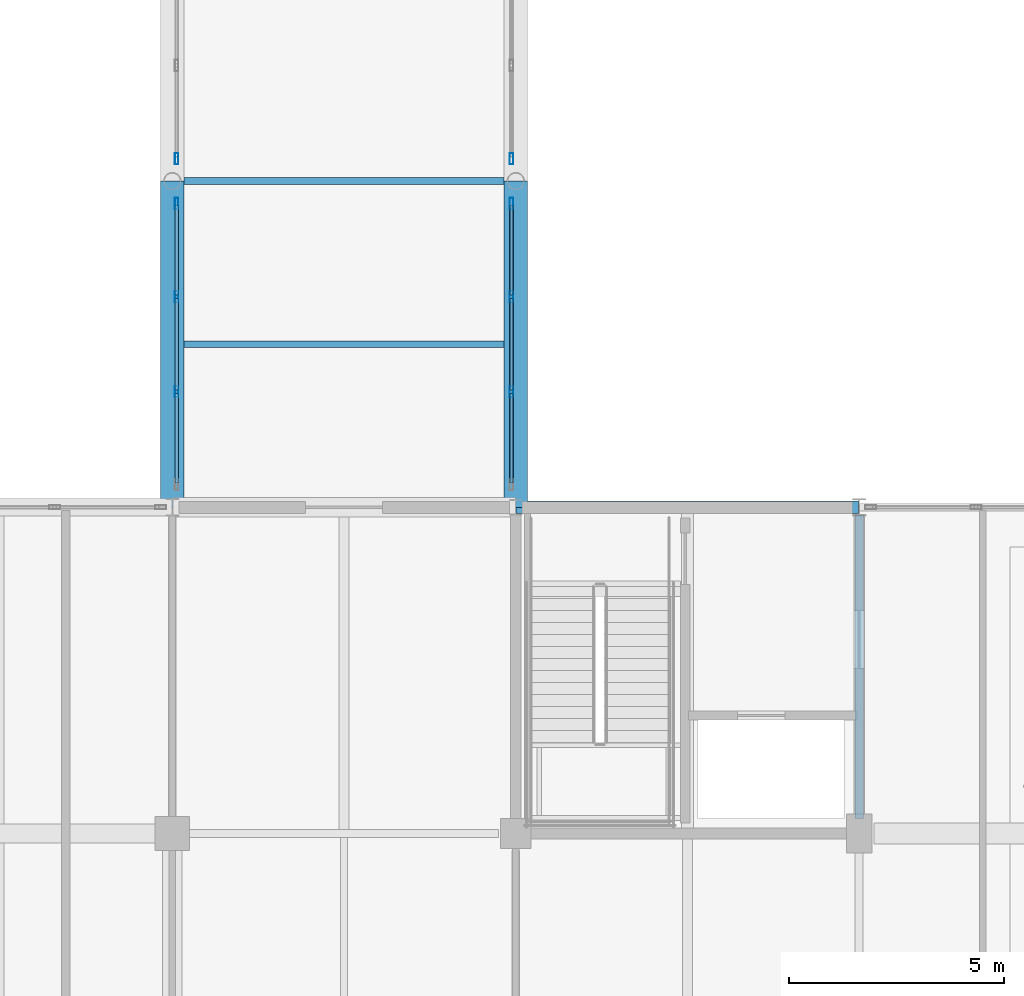
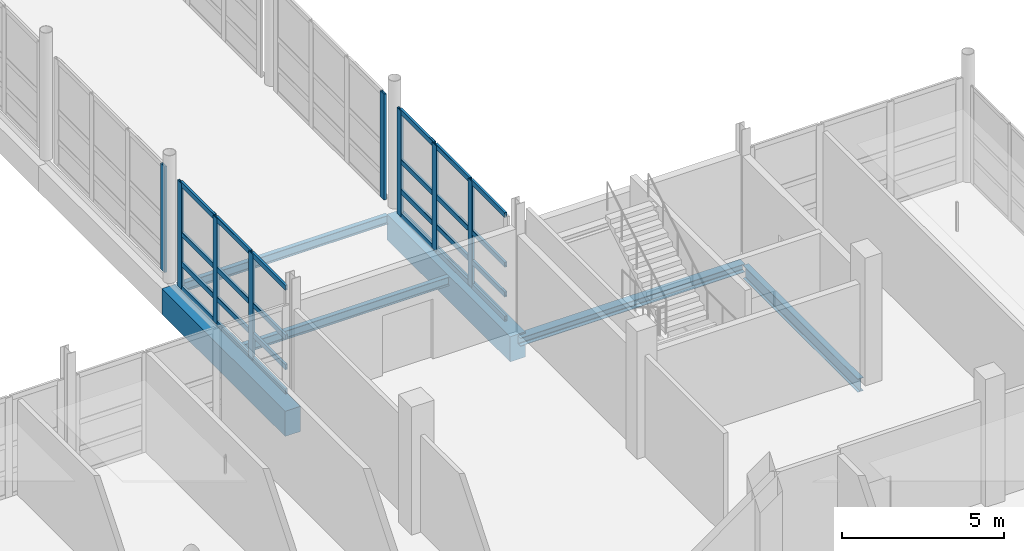
# One storey, part 52 of 147: 32 members, 6 beams, 4 elements without a shape of their own.
"""IFC4 building model written with IfcOpenShell, lengths in metres."""

from ifc_helpers import new_model, si_unit, direction, frame, origin, origin_2d, place, context, subcontext, project, spatial, rectangle, hollow_rectangle, i_section, extrude, material, material_profile, profile_set, type_object, element, aggregate, save


model = new_model("IFC4")

# Units and contexts
model_context = context("Model", 3, precision=1e-05, world=origin(), true_north=direction((0.0, 1.0)))
body_context = subcontext(model_context, "Body", "Model", "MODEL_VIEW")
ifc_project = project(units=[si_unit("LENGTHUNIT", "METRE"), si_unit("AREAUNIT", "SQUARE_METRE"), si_unit("VOLUMEUNIT", "CUBIC_METRE"), si_unit("PLANEANGLEUNIT", "RADIAN"), si_unit("MASSUNIT", "GRAM", prefix="KILO")], contexts=[model_context])

# Site, building, storey
site_placement = place(None, origin())
site = spatial("IfcSite", under=ifc_project, at=site_placement, CompositionType="ELEMENT")
building_placement = place(site_placement, origin())
building = spatial("IfcBuilding", under=site, at=building_placement, Name="Khelvaren Railside Concert Hall", CompositionType="ELEMENT")
storey_placement = place(building_placement, frame((0.0, 0.0, 5.39990234375)))
storey = spatial("IfcBuildingStorey", under=building, at=storey_placement, Name="L01", CompositionType="ELEMENT", Elevation=5.39990234375)

# Beam
ifc_material_1 = material(Name="Steel S355", Category="steel")
ifc_material_profile_1 = material_profile(ifc_material_1, i_section(OverallWidth=0.199951171875, OverallDepth=0.5, WebThickness=0.01025390625, FlangeThickness=0.01611328125, FilletRadius=0.02099609375, at=origin_2d()), Name="IPE 500")
ifc_profile_set_1 = profile_set([ifc_material_profile_1], Name="Steel S355")
beam_type_1 = type_object("IfcBeamType", Name="BM62", PredefinedType="BEAM", material=ifc_profile_set_1)
beam_1_placement = place(storey_placement, frame((176.0, 30.75, -0.5498046875), z_axis=(0.0, 1.0, 0.0), x_axis=(-1.0, 0.0, 0.0)))
element("IfcBeam", 1, at=beam_1_placement, inside=storey, type_object=beam_type_1, Name="V2 L01 Beam Y5.5", PredefinedType="BEAM", context=body_context, shape_type="SweptSolid", body=[
    extrude(i_section(OverallWidth=0.199951171875, OverallDepth=0.5, WebThickness=0.01025390625, FlangeThickness=0.01611328125, FilletRadius=0.02099609375, at=origin_2d()), origin(), (0.0, 0.0, 1.0), 7.070068359375),
])

# Curtain wall, members
ifc_material_2 = material(Name="Acoustic laminated crystal facade glass", Category="glass")
curtain_wall_type = type_object("IfcCurtainWallType", Name="CW78", PredefinedType="USERDEFINED", material=ifc_material_2)
curtain_wall_1_placement = place(storey_placement, origin())
curtain_wall_1 = element("IfcCurtainWall", 2, at=curtain_wall_1_placement, inside=storey, type_object=curtain_wall_type, Name="Unitised Curtain Wall CW-LB4-L01-W1", ObjectType="UNITISED CURTAIN WALL", PredefinedType="USERDEFINED")
ifc_material_3 = material(Name="Anodised architectural aluminium 6063-T6", Category="aluminium")
ifc_material_profile_2 = material_profile(ifc_material_3, hollow_rectangle(XDim=0.0849609375, YDim=0.260009765625, WallThickness=0.0048828125, InnerFilletRadius=0.0029296875, OuterFilletRadius=0.0048828125, at=origin_2d()), Name="CWM 85x260x5")
ifc_profile_set_2 = profile_set([ifc_material_profile_2], Name="Anodised architectural aluminium 6063-T6")
member_type_1 = type_object("IfcMemberType", Name="CWM40", PredefinedType="MULLION", material=ifc_profile_set_2)
member_1_placement = place(storey_placement, frame((160.10009765625, 40.693359375, 0.0), z_axis=(0.0, 0.0, 1.0), x_axis=(-1.0, 0.0, 0.0)))
member_1 = element("IfcMember", 3, at=member_1_placement, type_object=member_type_1, Name="CW78 mullion 2", PredefinedType="MULLION", context=body_context, shape_type="SweptSolid", body=[
    extrude(hollow_rectangle(XDim=0.0849609375, YDim=0.260009765625, WallThickness=0.0048828125, InnerFilletRadius=0.0029296875, OuterFilletRadius=0.0048828125, at=origin_2d()), origin(), (0.0, 0.0, 1.0), 3.97998046875),
])
member_2_placement = place(storey_placement, frame((160.10009765625, 42.90673828125, 0.0), z_axis=(0.0, 0.0, 1.0), x_axis=(-1.0, 0.0, 0.0)))
member_2 = element("IfcMember", 4, at=member_2_placement, type_object=member_type_1, Name="CW78 mullion 3", PredefinedType="MULLION", context=body_context, shape_type="SweptSolid", body=[
    extrude(hollow_rectangle(XDim=0.0849609375, YDim=0.260009765625, WallThickness=0.0048828125, InnerFilletRadius=0.0029296875, OuterFilletRadius=0.0048828125, at=origin_2d()), origin(), (0.0, 0.0, 1.0), 3.97998046875),
])
member_3_placement = place(storey_placement, frame((160.10009765625, 45.077392578125, 0.0), z_axis=(0.0, 0.0, 1.0), x_axis=(-1.0, 0.0, 0.0)))
member_3 = element("IfcMember", 5, at=member_3_placement, type_object=member_type_1, Name="CW78 mullion 4", PredefinedType="MULLION", context=body_context, shape_type="SweptSolid", body=[
    extrude(hollow_rectangle(XDim=0.0849609375, YDim=0.260009765625, WallThickness=0.0048828125, InnerFilletRadius=0.0029296875, OuterFilletRadius=0.0048828125, at=origin_2d()), origin(), (0.0, 0.0, 1.0), 3.97998046875),
])

curtain_wall_2_placement = place(storey_placement, origin())
curtain_wall_2 = element("IfcCurtainWall", 6, at=curtain_wall_2_placement, inside=storey, type_object=curtain_wall_type, Name="Unitised Curtain Wall CW-LB4-L01-E1", ObjectType="UNITISED CURTAIN WALL", PredefinedType="USERDEFINED")
member_4_placement = place(storey_placement, frame((167.89990234375, 45.077392578125, 0.0), z_axis=(0.0, 0.0, 1.0), x_axis=(1.0, 0.0, 0.0)))
member_4 = element("IfcMember", 7, at=member_4_placement, type_object=member_type_1, Name="CW78 mullion 1", PredefinedType="MULLION", context=body_context, shape_type="SweptSolid", body=[
    extrude(hollow_rectangle(XDim=0.0849609375, YDim=0.260009765625, WallThickness=0.0048828125, InnerFilletRadius=0.0029296875, OuterFilletRadius=0.0048828125, at=origin_2d()), origin(), (0.0, 0.0, 1.0), 3.97998046875),
])
member_5_placement = place(storey_placement, frame((167.89990234375, 42.90673828125, 0.0), z_axis=(0.0, 0.0, 1.0), x_axis=(1.0, 0.0, 0.0)))
member_5 = element("IfcMember", 8, at=member_5_placement, type_object=member_type_1, Name="CW78 mullion 2", PredefinedType="MULLION", context=body_context, shape_type="SweptSolid", body=[
    extrude(hollow_rectangle(XDim=0.0849609375, YDim=0.260009765625, WallThickness=0.0048828125, InnerFilletRadius=0.0029296875, OuterFilletRadius=0.0048828125, at=origin_2d()), origin(), (0.0, 0.0, 1.0), 3.97998046875),
])
member_6_placement = place(storey_placement, frame((167.89990234375, 40.693359375, 0.0), z_axis=(0.0, 0.0, 1.0), x_axis=(1.0, 0.0, 0.0)))
member_6 = element("IfcMember", 9, at=member_6_placement, type_object=member_type_1, Name="CW78 mullion 3", PredefinedType="MULLION", context=body_context, shape_type="SweptSolid", body=[
    extrude(hollow_rectangle(XDim=0.0849609375, YDim=0.260009765625, WallThickness=0.0048828125, InnerFilletRadius=0.0029296875, OuterFilletRadius=0.0048828125, at=origin_2d()), origin(), (0.0, 0.0, 1.0), 3.97998046875),
])

# Curtain wall, member
curtain_wall_3_placement = place(storey_placement, origin())
curtain_wall_3 = element("IfcCurtainWall", 10, at=curtain_wall_3_placement, inside=storey, type_object=curtain_wall_type, Name="Unitised Curtain Wall CW-LB4-L01-W2", ObjectType="UNITISED CURTAIN WALL", PredefinedType="USERDEFINED")
member_7_placement = place(storey_placement, frame((160.10009765625, 46.12255859375, 0.0), z_axis=(0.0, 0.0, 1.0), x_axis=(-1.0, 0.0, 0.0)))
member_7 = element("IfcMember", 11, at=member_7_placement, type_object=member_type_1, Name="CW78 mullion 1", PredefinedType="MULLION", context=body_context, shape_type="SweptSolid", body=[
    extrude(hollow_rectangle(XDim=0.0849609375, YDim=0.260009765625, WallThickness=0.0048828125, InnerFilletRadius=0.0029296875, OuterFilletRadius=0.0048828125, at=origin_2d()), origin(), (0.0, 0.0, 1.0), 3.97998046875),
])
aggregate(curtain_wall_3, [member_7])

curtain_wall_4_placement = place(storey_placement, origin())
curtain_wall_4 = element("IfcCurtainWall", 12, at=curtain_wall_4_placement, inside=storey, type_object=curtain_wall_type, Name="Unitised Curtain Wall CW-LB4-L01-E2", ObjectType="UNITISED CURTAIN WALL", PredefinedType="USERDEFINED")
member_8_placement = place(storey_placement, frame((167.89990234375, 46.12255859375, 0.0), z_axis=(0.0, 0.0, 1.0), x_axis=(1.0, 0.0, 0.0)))
member_8 = element("IfcMember", 13, at=member_8_placement, type_object=member_type_1, Name="CW78 mullion 4", PredefinedType="MULLION", context=body_context, shape_type="SweptSolid", body=[
    extrude(hollow_rectangle(XDim=0.0849609375, YDim=0.260009765625, WallThickness=0.0048828125, InnerFilletRadius=0.0029296875, OuterFilletRadius=0.0048828125, at=origin_2d()), origin(), (0.0, 0.0, 1.0), 3.97998046875),
])
aggregate(curtain_wall_4, [member_8])

# Member
ifc_material_profile_3 = material_profile(ifc_material_3, hollow_rectangle(XDim=0.0849609375, YDim=0.18994140625, WallThickness=0.0048828125, InnerFilletRadius=0.0029296875, OuterFilletRadius=0.0048828125, at=origin_2d()), Name="CWT 85x190x5")
ifc_profile_set_3 = profile_set([ifc_material_profile_3], Name="Anodised architectural aluminium 6063-T6")
member_type_2 = type_object("IfcMemberType", Name="CWT31", PredefinedType="USERDEFINED", material=ifc_profile_set_3)
member_9_placement = place(storey_placement, frame((160.10009765625, 38.56494140625, 0.04248046875), z_axis=(0.0, 1.0, 0.0), x_axis=(-1.0, 0.0, 0.0)))
member_9 = element("IfcMember", 14, at=member_9_placement, type_object=member_type_2, Name="CW78 transom 1.1", ObjectType="TRANSOM", PredefinedType="USERDEFINED", context=body_context, shape_type="SweptSolid", body=[
    extrude(hollow_rectangle(XDim=0.0849609375, YDim=0.18994140625, WallThickness=0.0048828125, InnerFilletRadius=0.0029296875, OuterFilletRadius=0.0048828125, at=origin_2d()), origin(), (0.0, 0.0, 1.0), 2.0859375),
])

member_10_placement = place(storey_placement, frame((160.10009765625, 38.56494140625, 0.9501953125), z_axis=(0.0, 1.0, 0.0), x_axis=(-1.0, 0.0, 0.0)))
member_10 = element("IfcMember", 15, at=member_10_placement, type_object=member_type_2, Name="CW78 transom 1.2", ObjectType="TRANSOM", PredefinedType="USERDEFINED", context=body_context, shape_type="SweptSolid", body=[
    extrude(hollow_rectangle(XDim=0.0849609375, YDim=0.18994140625, WallThickness=0.0048828125, InnerFilletRadius=0.0029296875, OuterFilletRadius=0.0048828125, at=origin_2d()), origin(), (0.0, 0.0, 1.0), 2.0859375),
])

member_11_placement = place(storey_placement, frame((160.10009765625, 38.56494140625, 2.069580078125), z_axis=(0.0, 1.0, 0.0), x_axis=(-1.0, 0.0, 0.0)))
member_11 = element("IfcMember", 16, at=member_11_placement, type_object=member_type_2, Name="CW78 transom 1.3", ObjectType="TRANSOM", PredefinedType="USERDEFINED", context=body_context, shape_type="SweptSolid", body=[
    extrude(hollow_rectangle(XDim=0.0849609375, YDim=0.18994140625, WallThickness=0.0048828125, InnerFilletRadius=0.0029296875, OuterFilletRadius=0.0048828125, at=origin_2d()), origin(), (0.0, 0.0, 1.0), 2.0859375),
])

member_12_placement = place(storey_placement, frame((160.10009765625, 38.56494140625, 3.9375), z_axis=(0.0, 1.0, 0.0), x_axis=(-1.0, 0.0, 0.0)))
member_12 = element("IfcMember", 17, at=member_12_placement, type_object=member_type_2, Name="CW78 transom 1.4", ObjectType="TRANSOM", PredefinedType="USERDEFINED", context=body_context, shape_type="SweptSolid", body=[
    extrude(hollow_rectangle(XDim=0.0849609375, YDim=0.18994140625, WallThickness=0.0048828125, InnerFilletRadius=0.0029296875, OuterFilletRadius=0.0048828125, at=origin_2d()), origin(), (0.0, 0.0, 1.0), 2.0859375),
])

member_13_placement = place(storey_placement, frame((160.10009765625, 40.73583984375, 0.04248046875), z_axis=(0.0, 1.0, 0.0), x_axis=(-1.0, 0.0, 0.0)))
member_13 = element("IfcMember", 18, at=member_13_placement, type_object=member_type_2, Name="CW78 transom 2.1", ObjectType="TRANSOM", PredefinedType="USERDEFINED", context=body_context, shape_type="SweptSolid", body=[
    extrude(hollow_rectangle(XDim=0.0849609375, YDim=0.18994140625, WallThickness=0.0048828125, InnerFilletRadius=0.0029296875, OuterFilletRadius=0.0048828125, at=origin_2d()), origin(), (0.0, 0.0, 1.0), 2.12841796875),
])

member_14_placement = place(storey_placement, frame((160.10009765625, 40.73583984375, 0.9501953125), z_axis=(0.0, 1.0, 0.0), x_axis=(-1.0, 0.0, 0.0)))
member_14 = element("IfcMember", 19, at=member_14_placement, type_object=member_type_2, Name="CW78 transom 2.2", ObjectType="TRANSOM", PredefinedType="USERDEFINED", context=body_context, shape_type="SweptSolid", body=[
    extrude(hollow_rectangle(XDim=0.0849609375, YDim=0.18994140625, WallThickness=0.0048828125, InnerFilletRadius=0.0029296875, OuterFilletRadius=0.0048828125, at=origin_2d()), origin(), (0.0, 0.0, 1.0), 2.12841796875),
])

member_15_placement = place(storey_placement, frame((160.10009765625, 40.73583984375, 2.069580078125), z_axis=(0.0, 1.0, 0.0), x_axis=(-1.0, 0.0, 0.0)))
member_15 = element("IfcMember", 20, at=member_15_placement, type_object=member_type_2, Name="CW78 transom 2.3", ObjectType="TRANSOM", PredefinedType="USERDEFINED", context=body_context, shape_type="SweptSolid", body=[
    extrude(hollow_rectangle(XDim=0.0849609375, YDim=0.18994140625, WallThickness=0.0048828125, InnerFilletRadius=0.0029296875, OuterFilletRadius=0.0048828125, at=origin_2d()), origin(), (0.0, 0.0, 1.0), 2.12841796875),
])

member_16_placement = place(storey_placement, frame((160.10009765625, 40.73583984375, 3.9375), z_axis=(0.0, 1.0, 0.0), x_axis=(-1.0, 0.0, 0.0)))
member_16 = element("IfcMember", 21, at=member_16_placement, type_object=member_type_2, Name="CW78 transom 2.4", ObjectType="TRANSOM", PredefinedType="USERDEFINED", context=body_context, shape_type="SweptSolid", body=[
    extrude(hollow_rectangle(XDim=0.0849609375, YDim=0.18994140625, WallThickness=0.0048828125, InnerFilletRadius=0.0029296875, OuterFilletRadius=0.0048828125, at=origin_2d()), origin(), (0.0, 0.0, 1.0), 2.12841796875),
])

member_17_placement = place(storey_placement, frame((160.10009765625, 42.94921875, 0.04248046875), z_axis=(0.0, 1.0, 0.0), x_axis=(-1.0, 0.0, 0.0)))
member_17 = element("IfcMember", 22, at=member_17_placement, type_object=member_type_2, Name="CW78 transom 3.1", ObjectType="TRANSOM", PredefinedType="USERDEFINED", context=body_context, shape_type="SweptSolid", body=[
    extrude(hollow_rectangle(XDim=0.0849609375, YDim=0.18994140625, WallThickness=0.0048828125, InnerFilletRadius=0.0029296875, OuterFilletRadius=0.0048828125, at=origin_2d()), origin(), (0.0, 0.0, 1.0), 2.085693359375),
])

member_18_placement = place(storey_placement, frame((160.10009765625, 42.94921875, 0.9501953125), z_axis=(0.0, 1.0, 0.0), x_axis=(-1.0, 0.0, 0.0)))
member_18 = element("IfcMember", 23, at=member_18_placement, type_object=member_type_2, Name="CW78 transom 3.2", ObjectType="TRANSOM", PredefinedType="USERDEFINED", context=body_context, shape_type="SweptSolid", body=[
    extrude(hollow_rectangle(XDim=0.0849609375, YDim=0.18994140625, WallThickness=0.0048828125, InnerFilletRadius=0.0029296875, OuterFilletRadius=0.0048828125, at=origin_2d()), origin(), (0.0, 0.0, 1.0), 2.085693359375),
])

member_19_placement = place(storey_placement, frame((160.10009765625, 42.94921875, 2.069580078125), z_axis=(0.0, 1.0, 0.0), x_axis=(-1.0, 0.0, 0.0)))
member_19 = element("IfcMember", 24, at=member_19_placement, type_object=member_type_2, Name="CW78 transom 3.3", ObjectType="TRANSOM", PredefinedType="USERDEFINED", context=body_context, shape_type="SweptSolid", body=[
    extrude(hollow_rectangle(XDim=0.0849609375, YDim=0.18994140625, WallThickness=0.0048828125, InnerFilletRadius=0.0029296875, OuterFilletRadius=0.0048828125, at=origin_2d()), origin(), (0.0, 0.0, 1.0), 2.085693359375),
])

member_20_placement = place(storey_placement, frame((160.10009765625, 42.94921875, 3.9375), z_axis=(0.0, 1.0, 0.0), x_axis=(-1.0, 0.0, 0.0)))
member_20 = element("IfcMember", 25, at=member_20_placement, type_object=member_type_2, Name="CW78 transom 3.4", ObjectType="TRANSOM", PredefinedType="USERDEFINED", context=body_context, shape_type="SweptSolid", body=[
    extrude(hollow_rectangle(XDim=0.0849609375, YDim=0.18994140625, WallThickness=0.0048828125, InnerFilletRadius=0.0029296875, OuterFilletRadius=0.0048828125, at=origin_2d()), origin(), (0.0, 0.0, 1.0), 2.085693359375),
])

aggregate(curtain_wall_1, [member_1, member_2, member_3, member_9, member_10, member_11, member_12, member_13, member_14, member_15, member_16, member_17, member_18, member_19, member_20])

member_21_placement = place(storey_placement, frame((167.89990234375, 45.034912109375, 0.04248046875), z_axis=(0.0, -1.0, 0.0), x_axis=(1.0, 0.0, 0.0)))
member_21 = element("IfcMember", 26, at=member_21_placement, type_object=member_type_2, Name="CW78 transom 1.1", ObjectType="TRANSOM", PredefinedType="USERDEFINED", context=body_context, shape_type="SweptSolid", body=[
    extrude(hollow_rectangle(XDim=0.0849609375, YDim=0.18994140625, WallThickness=0.0048828125, InnerFilletRadius=0.0029296875, OuterFilletRadius=0.0048828125, at=origin_2d()), origin(), (0.0, 0.0, 1.0), 2.085693359375),
])

member_22_placement = place(storey_placement, frame((167.89990234375, 45.034912109375, 0.9501953125), z_axis=(0.0, -1.0, 0.0), x_axis=(1.0, 0.0, 0.0)))
member_22 = element("IfcMember", 27, at=member_22_placement, type_object=member_type_2, Name="CW78 transom 1.2", ObjectType="TRANSOM", PredefinedType="USERDEFINED", context=body_context, shape_type="SweptSolid", body=[
    extrude(hollow_rectangle(XDim=0.0849609375, YDim=0.18994140625, WallThickness=0.0048828125, InnerFilletRadius=0.0029296875, OuterFilletRadius=0.0048828125, at=origin_2d()), origin(), (0.0, 0.0, 1.0), 2.085693359375),
])

member_23_placement = place(storey_placement, frame((167.89990234375, 45.034912109375, 2.069580078125), z_axis=(0.0, -1.0, 0.0), x_axis=(1.0, 0.0, 0.0)))
member_23 = element("IfcMember", 28, at=member_23_placement, type_object=member_type_2, Name="CW78 transom 1.3", ObjectType="TRANSOM", PredefinedType="USERDEFINED", context=body_context, shape_type="SweptSolid", body=[
    extrude(hollow_rectangle(XDim=0.0849609375, YDim=0.18994140625, WallThickness=0.0048828125, InnerFilletRadius=0.0029296875, OuterFilletRadius=0.0048828125, at=origin_2d()), origin(), (0.0, 0.0, 1.0), 2.085693359375),
])

member_24_placement = place(storey_placement, frame((167.89990234375, 45.034912109375, 3.9375), z_axis=(0.0, -1.0, 0.0), x_axis=(1.0, 0.0, 0.0)))
member_24 = element("IfcMember", 29, at=member_24_placement, type_object=member_type_2, Name="CW78 transom 1.4", ObjectType="TRANSOM", PredefinedType="USERDEFINED", context=body_context, shape_type="SweptSolid", body=[
    extrude(hollow_rectangle(XDim=0.0849609375, YDim=0.18994140625, WallThickness=0.0048828125, InnerFilletRadius=0.0029296875, OuterFilletRadius=0.0048828125, at=origin_2d()), origin(), (0.0, 0.0, 1.0), 2.085693359375),
])

member_25_placement = place(storey_placement, frame((167.89990234375, 42.8642578125, 0.04248046875), z_axis=(0.0, -1.0, 0.0), x_axis=(1.0, 0.0, 0.0)))
member_25 = element("IfcMember", 30, at=member_25_placement, type_object=member_type_2, Name="CW78 transom 2.1", ObjectType="TRANSOM", PredefinedType="USERDEFINED", context=body_context, shape_type="SweptSolid", body=[
    extrude(hollow_rectangle(XDim=0.0849609375, YDim=0.18994140625, WallThickness=0.0048828125, InnerFilletRadius=0.0029296875, OuterFilletRadius=0.0048828125, at=origin_2d()), origin(), (0.0, 0.0, 1.0), 2.12841796875),
])

member_26_placement = place(storey_placement, frame((167.89990234375, 42.8642578125, 0.9501953125), z_axis=(0.0, -1.0, 0.0), x_axis=(1.0, 0.0, 0.0)))
member_26 = element("IfcMember", 31, at=member_26_placement, type_object=member_type_2, Name="CW78 transom 2.2", ObjectType="TRANSOM", PredefinedType="USERDEFINED", context=body_context, shape_type="SweptSolid", body=[
    extrude(hollow_rectangle(XDim=0.0849609375, YDim=0.18994140625, WallThickness=0.0048828125, InnerFilletRadius=0.0029296875, OuterFilletRadius=0.0048828125, at=origin_2d()), origin(), (0.0, 0.0, 1.0), 2.12841796875),
])

member_27_placement = place(storey_placement, frame((167.89990234375, 42.8642578125, 2.069580078125), z_axis=(0.0, -1.0, 0.0), x_axis=(1.0, 0.0, 0.0)))
member_27 = element("IfcMember", 32, at=member_27_placement, type_object=member_type_2, Name="CW78 transom 2.3", ObjectType="TRANSOM", PredefinedType="USERDEFINED", context=body_context, shape_type="SweptSolid", body=[
    extrude(hollow_rectangle(XDim=0.0849609375, YDim=0.18994140625, WallThickness=0.0048828125, InnerFilletRadius=0.0029296875, OuterFilletRadius=0.0048828125, at=origin_2d()), origin(), (0.0, 0.0, 1.0), 2.12841796875),
])

member_28_placement = place(storey_placement, frame((167.89990234375, 42.8642578125, 3.9375), z_axis=(0.0, -1.0, 0.0), x_axis=(1.0, 0.0, 0.0)))
member_28 = element("IfcMember", 33, at=member_28_placement, type_object=member_type_2, Name="CW78 transom 2.4", ObjectType="TRANSOM", PredefinedType="USERDEFINED", context=body_context, shape_type="SweptSolid", body=[
    extrude(hollow_rectangle(XDim=0.0849609375, YDim=0.18994140625, WallThickness=0.0048828125, InnerFilletRadius=0.0029296875, OuterFilletRadius=0.0048828125, at=origin_2d()), origin(), (0.0, 0.0, 1.0), 2.12841796875),
])

member_29_placement = place(storey_placement, frame((167.89990234375, 40.65087890625, 0.04248046875), z_axis=(0.0, -1.0, 0.0), x_axis=(1.0, 0.0, 0.0)))
member_29 = element("IfcMember", 34, at=member_29_placement, type_object=member_type_2, Name="CW78 transom 3.1", ObjectType="TRANSOM", PredefinedType="USERDEFINED", context=body_context, shape_type="SweptSolid", body=[
    extrude(hollow_rectangle(XDim=0.0849609375, YDim=0.18994140625, WallThickness=0.0048828125, InnerFilletRadius=0.0029296875, OuterFilletRadius=0.0048828125, at=origin_2d()), origin(), (0.0, 0.0, 1.0), 2.0859375),
])

member_30_placement = place(storey_placement, frame((167.89990234375, 40.65087890625, 0.9501953125), z_axis=(0.0, -1.0, 0.0), x_axis=(1.0, 0.0, 0.0)))
member_30 = element("IfcMember", 35, at=member_30_placement, type_object=member_type_2, Name="CW78 transom 3.2", ObjectType="TRANSOM", PredefinedType="USERDEFINED", context=body_context, shape_type="SweptSolid", body=[
    extrude(hollow_rectangle(XDim=0.0849609375, YDim=0.18994140625, WallThickness=0.0048828125, InnerFilletRadius=0.0029296875, OuterFilletRadius=0.0048828125, at=origin_2d()), origin(), (0.0, 0.0, 1.0), 2.0859375),
])

member_31_placement = place(storey_placement, frame((167.89990234375, 40.65087890625, 2.069580078125), z_axis=(0.0, -1.0, 0.0), x_axis=(1.0, 0.0, 0.0)))
member_31 = element("IfcMember", 36, at=member_31_placement, type_object=member_type_2, Name="CW78 transom 3.3", ObjectType="TRANSOM", PredefinedType="USERDEFINED", context=body_context, shape_type="SweptSolid", body=[
    extrude(hollow_rectangle(XDim=0.0849609375, YDim=0.18994140625, WallThickness=0.0048828125, InnerFilletRadius=0.0029296875, OuterFilletRadius=0.0048828125, at=origin_2d()), origin(), (0.0, 0.0, 1.0), 2.0859375),
])

member_32_placement = place(storey_placement, frame((167.89990234375, 40.65087890625, 3.9375), z_axis=(0.0, -1.0, 0.0), x_axis=(1.0, 0.0, 0.0)))
member_32 = element("IfcMember", 37, at=member_32_placement, type_object=member_type_2, Name="CW78 transom 3.4", ObjectType="TRANSOM", PredefinedType="USERDEFINED", context=body_context, shape_type="SweptSolid", body=[
    extrude(hollow_rectangle(XDim=0.0849609375, YDim=0.18994140625, WallThickness=0.0048828125, InnerFilletRadius=0.0029296875, OuterFilletRadius=0.0048828125, at=origin_2d()), origin(), (0.0, 0.0, 1.0), 2.0859375),
])

aggregate(curtain_wall_2, [member_4, member_5, member_6, member_21, member_22, member_23, member_24, member_25, member_26, member_27, member_28, member_29, member_30, member_31, member_32])

# Beams
ifc_material_4 = material(Name="Concrete C40/50", Category="concrete")
ifc_material_profile_4 = material_profile(ifc_material_4, rectangle(XDim=0.550048828125, YDim=0.949951171875, at=origin_2d()), Name="RCB 550x950")
ifc_profile_set_4 = profile_set([ifc_material_profile_4], Name="Concrete C40/50")
beam_type_2 = type_object("IfcBeamType", Name="GR75", PredefinedType="T_BEAM", material=ifc_profile_set_4)
for number, where, z_axis, x_axis, name in (
    (38, (160.0, 38.0, -0.71484375), (0.0, 1.0, 0.0), (-1.0, 0.0, 0.0), "East Backstage Artist Link Bridge L01 Bridge Girder 1.1"),
    (39, (168.0, 38.0, -0.71484375), (0.0, 1.0, 0.0), (-1.0, 0.0, 0.0), "East Backstage Artist Link Bridge L01 Bridge Girder 2.1"),
):
    element("IfcBeam", number, at=place(storey_placement, frame(where, z_axis=z_axis, x_axis=x_axis)), inside=storey, type_object=beam_type_2, Name=name, PredefinedType="T_BEAM", context=body_context, shape_type="SweptSolid", body=[
        extrude(rectangle(XDim=0.550048828125, YDim=0.949951171875, at=origin_2d()), origin(), (0.0, 0.0, 1.0), 7.60009765625),
    ])
ifc_material_profile_5 = material_profile(ifc_material_1, i_section(OverallWidth=0.159912109375, OverallDepth=0.330078125, WebThickness=0.007568359375, FlangeThickness=0.011474609375, FilletRadius=0.01806640625, at=origin_2d()), Name="IPE 330")
ifc_profile_set_5 = profile_set([ifc_material_profile_5], Name="Steel S355")
beam_type_3 = type_object("IfcBeamType", Name="JS65", PredefinedType="JOIST", material=ifc_profile_set_5)
for number, where, z_axis, x_axis, name in (
    (40, (160.27490234375, 45.60009765625, -0.40478515625), (1.0, 0.0, 0.0), (0.0, 1.0, 0.0), "East Backstage Artist Link Bridge L01 Bridge Cross Joist 1"),
    (41, (160.27490234375, 41.800048828125, -0.40478515625), (1.0, 0.0, 0.0), (0.0, 1.0, 0.0), "East Backstage Artist Link Bridge L01 Bridge Cross Joist 6"),
):
    element("IfcBeam", number, at=place(storey_placement, frame(where, z_axis=z_axis, x_axis=x_axis)), inside=storey, type_object=beam_type_3, Name=name, PredefinedType="JOIST", context=body_context, shape_type="SweptSolid", body=[
        extrude(i_section(OverallWidth=0.159912109375, OverallDepth=0.330078125, WebThickness=0.007568359375, FlangeThickness=0.011474609375, FilletRadius=0.01806640625, at=origin_2d()), origin(), (0.0, 0.0, 1.0), 7.4501953125),
    ])
ifc_material_profile_6 = material_profile(ifc_material_1, i_section(OverallWidth=0.300048828125, OverallDepth=0.31005859375, WebThickness=0.009033203125, FlangeThickness=0.015380859375, FilletRadius=0.027099609375, at=origin_2d()), Name="HEA 320")
ifc_profile_set_6 = profile_set([ifc_material_profile_6], Name="Steel S355")
beam_type_4 = type_object("IfcBeamType", Name="SP66", PredefinedType="SPANDREL", material=ifc_profile_set_6)
beam_2_placement = place(storey_placement, frame((168.010009765625, 38.0, -0.454833984375), z_axis=(1.0, 0.0, 0.0), x_axis=(0.0, 1.0, 0.0)))
element("IfcBeam", 42, at=beam_2_placement, inside=storey, type_object=beam_type_4, Name="V2 L01 Spandrel X6.4", PredefinedType="SPANDREL", context=body_context, shape_type="SweptSolid", body=[
    extrude(i_section(OverallWidth=0.300048828125, OverallDepth=0.31005859375, WebThickness=0.009033203125, FlangeThickness=0.015380859375, FilletRadius=0.027099609375, at=origin_2d()), origin(), (0.0, 0.0, 1.0), 7.97998046875),
])

save(model, "model.ifc")
